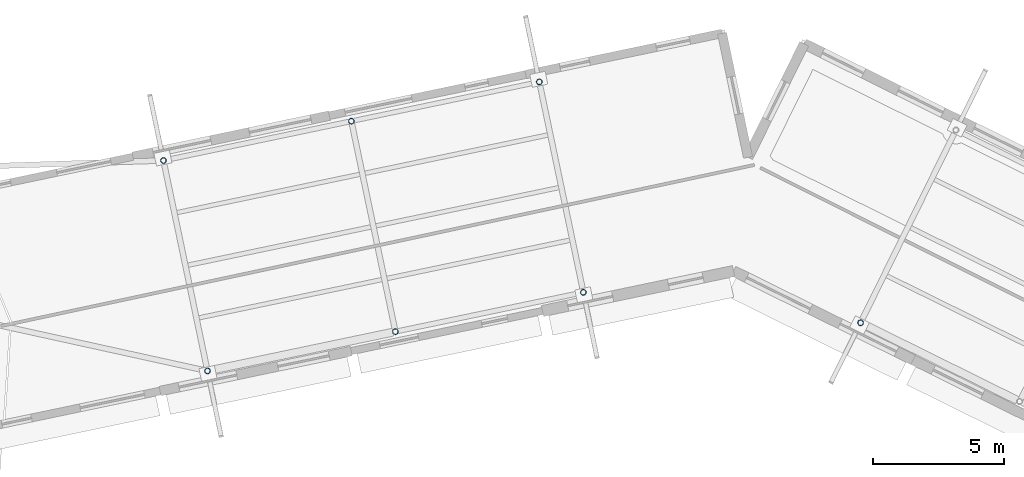
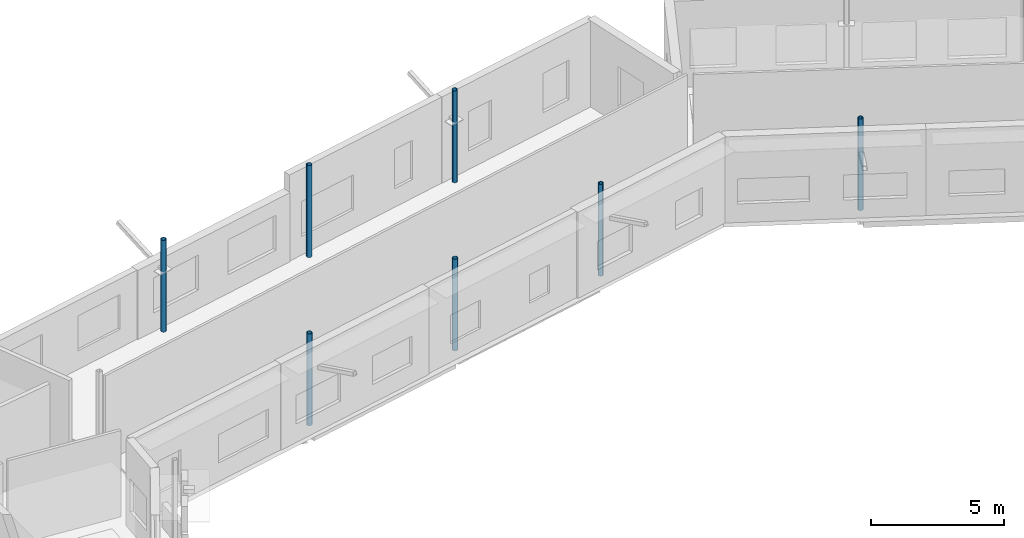
# One storey, part 9 of 68: 7 columns.
"""IFC4 building model written with IfcOpenShell, lengths in metres."""

import ifcopenshell
import ifcopenshell.guid

model = None  # the IFC model being written
_history = None  # IfcOwnerHistory: only IFC2X3 demands one
_inside = {}  # id of a spatial element -> (the spatial element, [elements in it])
_under = {}  # id of a project, library or spatial element -> (it, [spatial elements below it])
_declared = {}  # id of a project -> (the project, [libraries it declares])
_typed = {}  # id of a type object -> (the type object, [elements of that type])
_made_of = {}  # id of a material, layer set ... -> (it, [elements and type objects made of it])


def new_model(schema):
    """Start an empty IFC model of exactly this schema.

    Asked for "IFC4X3", IfcOpenShell would pick the latest addendum, in which some entities
    have other attributes; the version numbers below select the first issue.
    IFC2X3 requires an IfcOwnerHistory on every rooted entity: one is made here for all.
    """
    global model, _history
    if schema == "IFC4X3":
        model = ifcopenshell.file(schema_version=(4, 3, 0, 0))
    else:
        model = ifcopenshell.file(schema=schema)
    _inside.clear()
    _under.clear()
    _declared.clear()
    _typed.clear()
    _made_of.clear()
    _history = None
    if model.schema == "IFC2X3":
        org = make("IfcOrganization", Name="unknown")
        user = make(
            "IfcPersonAndOrganization",
            ThePerson=make("IfcPerson", FamilyName="unknown"),
            TheOrganization=org,
        )
        app = make(
            "IfcApplication",
            ApplicationDeveloper=org,
            Version="unknown",
            ApplicationFullName="unknown",
            ApplicationIdentifier="unknown",
        )
        _history = make(
            "IfcOwnerHistory",
            OwningUser=user,
            OwningApplication=app,
            ChangeAction="ADDED",
            CreationDate=0,
        )
    return model


def make(cls, **values):
    """One entity of the class cls with the attributes given. An attribute that is None is left unset."""
    return model.create_entity(
        cls, **{name: value for name, value in values.items() if value is not None}
    )


def rooted(cls, **values):
    """An entity with a GlobalId (a new one), such as an element, a storey or a relation."""
    return make(cls, GlobalId=ifcopenshell.guid.new(), OwnerHistory=_history, **values)


def si_unit(unit_type, name, prefix=None):
    """IfcSIUnit, for example si_unit("LENGTHUNIT", "METRE", prefix="MILLI")."""
    return make("IfcSIUnit", UnitType=unit_type, Prefix=prefix, Name=name)


def assignment(units):
    """IfcUnitAssignment: the units of a project."""
    return None if units is None else make("IfcUnitAssignment", Units=units)


def point(xyz):
    """IfcCartesianPoint."""
    return None if xyz is None else make("IfcCartesianPoint", Coordinates=xyz)


def direction(xyz):
    """IfcDirection."""
    return None if xyz is None else make("IfcDirection", DirectionRatios=xyz)


def frame(location, z_axis=None, x_axis=None):
    """IfcAxis2Placement3D, a coordinate frame: its origin and axes. An axis left out is left unset."""
    return make(
        "IfcAxis2Placement3D",
        Location=point(location),
        Axis=direction(z_axis),
        RefDirection=direction(x_axis),
    )


def frame_2d(location, x_axis=None):
    """IfcAxis2Placement2D, a coordinate frame in the plane: its origin and x axis."""
    return make(
        "IfcAxis2Placement2D", Location=point(location), RefDirection=direction(x_axis)
    )


def origin():
    """The frame at (0, 0, 0) with its axes left unset."""
    return frame((0.0, 0.0, 0.0))


def origin_2d():
    """The frame at (0, 0) in the plane with its x axis left unset."""
    return frame_2d((0.0, 0.0))


def place(relative_to, where):
    """IfcLocalPlacement: puts the frame where relative to a parent placement (None: the world)."""
    return make(
        "IfcLocalPlacement", PlacementRelTo=relative_to, RelativePlacement=where
    )


def context(
    kind, dimensions, precision=None, world=None, true_north=None, identifier=None
):
    """IfcGeometricRepresentationContext, for example the 3D "Model" context."""
    return make(
        "IfcGeometricRepresentationContext",
        ContextIdentifier=identifier,
        ContextType=kind,
        CoordinateSpaceDimension=dimensions,
        Precision=precision,
        WorldCoordinateSystem=world,
        TrueNorth=true_north,
    )


def subcontext(parent, identifier, kind, view, scale=None):
    """IfcGeometricRepresentationSubContext, for example "Body" below "Model"."""
    return make(
        "IfcGeometricRepresentationSubContext",
        ContextIdentifier=identifier,
        ContextType=kind,
        ParentContext=parent,
        TargetScale=scale,
        TargetView=view,
    )


def project(units=None, contexts=None):
    """IfcProject with its units and contexts."""
    return rooted(
        "IfcProject",
        Name="project",
        RepresentationContexts=contexts,
        UnitsInContext=assignment(units),
    )


def spatial(cls, under=None, at=None, **own):
    """A site, building, storey or space (cls), placed at a placement, below another one or the project."""
    s = rooted(cls, ObjectPlacement=at, **own)
    if under is not None:
        _under.setdefault(under.id(), (under, []))[1].append(s)
    return s


def profile(cls, at=None, kind="AREA", **sizes):
    """A parametric profile (cls). Its sizes go by their IFC names, for example OverallWidth=200.0."""
    return make(cls, ProfileType=kind, Position=at, **sizes)


def hollow_circle(**sizes):
    """IfcCircleHollowProfileDef."""
    return profile("IfcCircleHollowProfileDef", **sizes)


def extrude(swept, where, along, depth):
    """IfcExtrudedAreaSolid: the profile swept, set in the frame where, extruded along a direction by depth."""
    return make(
        "IfcExtrudedAreaSolid",
        SweptArea=swept,
        Position=where,
        ExtrudedDirection=direction(along),
        Depth=depth,
    )


def shape(context_of_items, identifier, shape_type, items):
    """IfcShapeRepresentation: the items that make up one representation, for example the "Body"."""
    return make(
        "IfcShapeRepresentation",
        ContextOfItems=context_of_items,
        RepresentationIdentifier=identifier,
        RepresentationType=shape_type,
        Items=items,
    )


def material(Name=None, Category=None):
    """IfcMaterial."""
    return make("IfcMaterial", Name=Name, Category=Category)


def material_profile(
    of_material, cross_section, Name=None, Category=None, Priority=None
):
    """IfcMaterialProfile: a cross section and its material."""
    return make(
        "IfcMaterialProfile",
        Name=Name,
        Material=of_material,
        Profile=cross_section,
        Priority=Priority,
        Category=Category,
    )


def profile_set(profiles, Name=None, composite=None):
    """IfcMaterialProfileSet."""
    return make(
        "IfcMaterialProfileSet",
        Name=Name,
        MaterialProfiles=profiles,
        CompositeProfile=composite,
    )


def made_of(thing, what):
    """Note that an element or type object is made of a material, layer set ...; save() writes the relation."""
    if what is not None:
        _made_of.setdefault(what.id(), (what, []))[1].append(thing)
    return thing


def type_object(cls, material=None, **own):
    """A type object (cls), such as IfcWallType, which elements share."""
    return made_of(rooted(cls, **own), material)


def element(
    cls,
    number,
    at=None,
    inside=None,
    cuts=None,
    type_object=None,
    material=None,
    context=None,
    identifier="Body",
    shape_type=None,
    held_by="IfcProductDefinitionShape",
    body=None,
    shapes=None,
    **own,
):
    """One element of the class cls, such as IfcWall. Its Tag is "e" and its number.

    at: its placement. inside: the storey or other place that contains it. cuts: it is an
    opening in that element (IfcRelVoidsElement). A single representation is given by context,
    identifier, shape_type and body (its items); several are given by shapes. held_by: the class
    of the entity that holds the representations. save() writes the other relations.
    """
    e = rooted(cls, Tag="e%d" % number, ObjectPlacement=at, **own)
    if body is not None:
        shapes = [shape(context, identifier, shape_type, body)]
    if shapes is not None:
        e.Representation = make(held_by, Representations=shapes)
    if inside is not None:
        _inside.setdefault(inside.id(), (inside, []))[1].append(e)
    if cuts is not None:
        rooted(
            "IfcRelVoidsElement", RelatingBuildingElement=cuts, RelatedOpeningElement=e
        )
    if type_object is not None:
        _typed.setdefault(type_object.id(), (type_object, []))[1].append(e)
    return made_of(e, material)


def aggregate(whole, parts):
    """IfcRelAggregates: a whole, such as a stair, and the parts it consists of."""
    return rooted("IfcRelAggregates", RelatingObject=whole, RelatedObjects=parts)


def save(model, path):
    """Write the relations noted so far, then the file.

    IfcRelAggregates (storeys below a building ...), IfcRelContainedInSpatialStructure (elements
    in a storey), IfcRelDefinesByType, IfcRelAssociatesMaterial and IfcRelDeclares: one each for
    every whole, place, type object, material and project.
    """
    for whole, parts in _under.values():
        aggregate(whole, parts)
    for where, things in _inside.values():
        rooted(
            "IfcRelContainedInSpatialStructure",
            RelatedElements=things,
            RelatingStructure=where,
        )
    for kind, things in _typed.values():
        rooted("IfcRelDefinesByType", RelatedObjects=things, RelatingType=kind)
    for what, things in _made_of.values():
        rooted("IfcRelAssociatesMaterial", RelatedObjects=things, RelatingMaterial=what)
    for by, libraries in _declared.values():
        rooted("IfcRelDeclares", RelatingContext=by, RelatedDefinitions=libraries)
    model.write(path)


model = new_model("IFC4")

# Units and contexts
model_context = context("Model", 3, precision=1e-05, world=origin(), true_north=direction((0.0, 1.0)))
body_context = subcontext(model_context, "Body", "Model", "MODEL_VIEW")
ifc_project = project(units=[si_unit("LENGTHUNIT", "METRE"), si_unit("AREAUNIT", "SQUARE_METRE"), si_unit("VOLUMEUNIT", "CUBIC_METRE"), si_unit("PLANEANGLEUNIT", "RADIAN"), si_unit("MASSUNIT", "GRAM", prefix="KILO")], contexts=[model_context])

# Site, building, storey
site_placement = place(None, origin())
site = spatial("IfcSite", under=ifc_project, at=site_placement, CompositionType="ELEMENT")
building_placement = place(site_placement, origin())
building = spatial("IfcBuilding", under=site, at=building_placement, Name="Wrenclough Park School", CompositionType="ELEMENT")
storey_placement = place(building_placement, frame((0.0, 0.0, 12.60009765625)))
storey = spatial("IfcBuildingStorey", under=building, at=storey_placement, Name="L03", CompositionType="ELEMENT", Elevation=12.60009765625)

# Columns
ifc_material = material(Name="Structural steel S355", Category="steel")
ifc_material_profile = material_profile(ifc_material, hollow_circle(Radius=0.109619140625, WallThickness=0.012451171875, at=origin_2d()), Name="CHS 219.1x12.5")
ifc_profile_set = profile_set([ifc_material_profile], Name="Structural steel S355")
column_type = type_object("IfcColumnType", Name="STR-COL-CHS219", PredefinedType="COLUMN", material=ifc_profile_set)
for number, where, z_axis, x_axis, name in (
    (1, (103.66015625, 117.012939453125, 0.0), (0.0, 0.0, 1.0), (0.978795946539, 0.204837728554, 0.0), "W45 L03 column W45-C1-L03"),
    (2, (105.33984375, 108.987060546875, 0.0), (0.0, 0.0, 1.0), (0.978795946539, 0.204837728554, 0.0), "W45 L03 column W45-C1-R03"),
    (3, (110.82666015625, 118.512939453125, 0.0), (0.0, 0.0, 1.0), (0.978795946539, 0.204837728554, 0.0), "W45 L03 column W45-C1-L04"),
    (4, (112.506591796875, 110.487060546875, 0.0), (0.0, 0.0, 1.0), (0.978795946539, 0.204837728554, 0.0), "W45 L03 column W45-C1-R04"),
    (5, (117.993408203125, 120.012939453125, 0.0), (0.0, 0.0, 1.0), (0.978795946539, 0.204837728554, 0.0), "W45 L03 column W45-C1-L05"),
    (6, (119.67333984375, 111.987060546875, 0.0), (0.0, 0.0, 1.0), (0.978795946539, 0.204837728554, 0.0), "W45 L03 column W45-C1-R05"),
    (7, (130.244140625, 110.8251953125, 0.0), (0.0, 0.0, 1.0), (0.896254315973, -0.443540529265, 0.0), "W45 L03 column W45-C2-R01"),
):
    element("IfcColumn", number, at=place(storey_placement, frame(where, z_axis=z_axis, x_axis=x_axis)), inside=storey, type_object=column_type, Name=name, PredefinedType="COLUMN", context=body_context, shape_type="SweptSolid", body=[
        extrude(hollow_circle(Radius=0.109619140625, WallThickness=0.012451171875, at=origin_2d()), origin(), (0.0, 0.0, 1.0), 4.199951171875),
    ])

save(model, "model.ifc")
